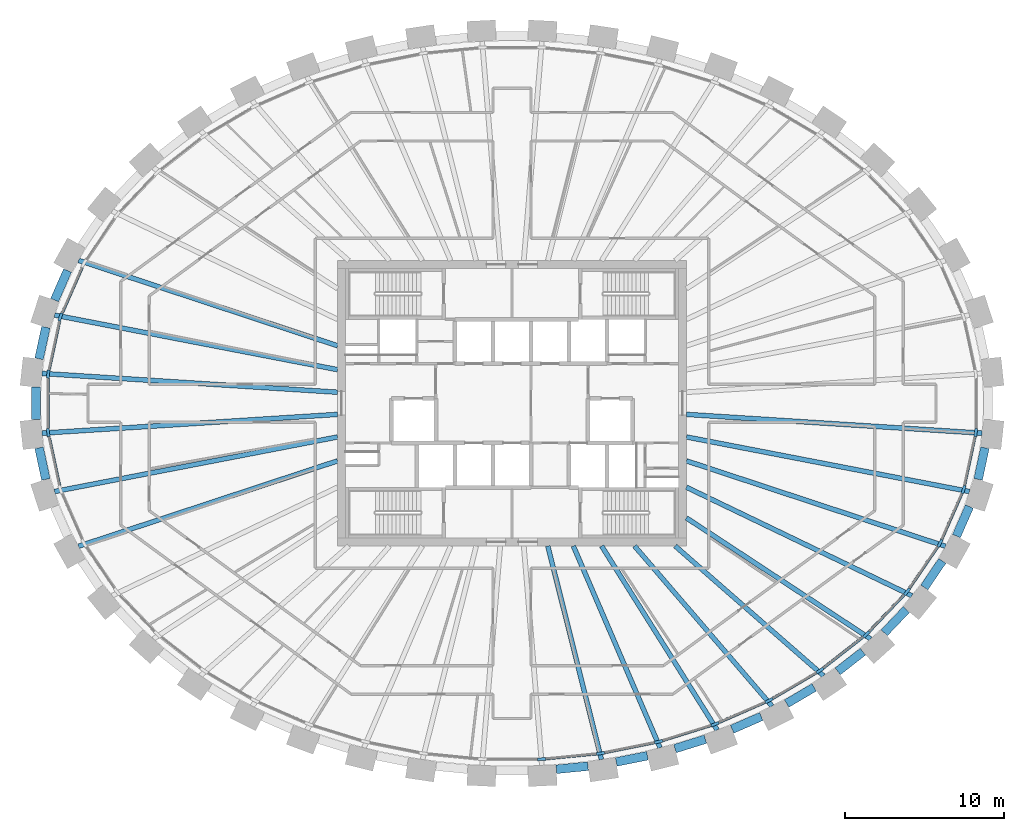
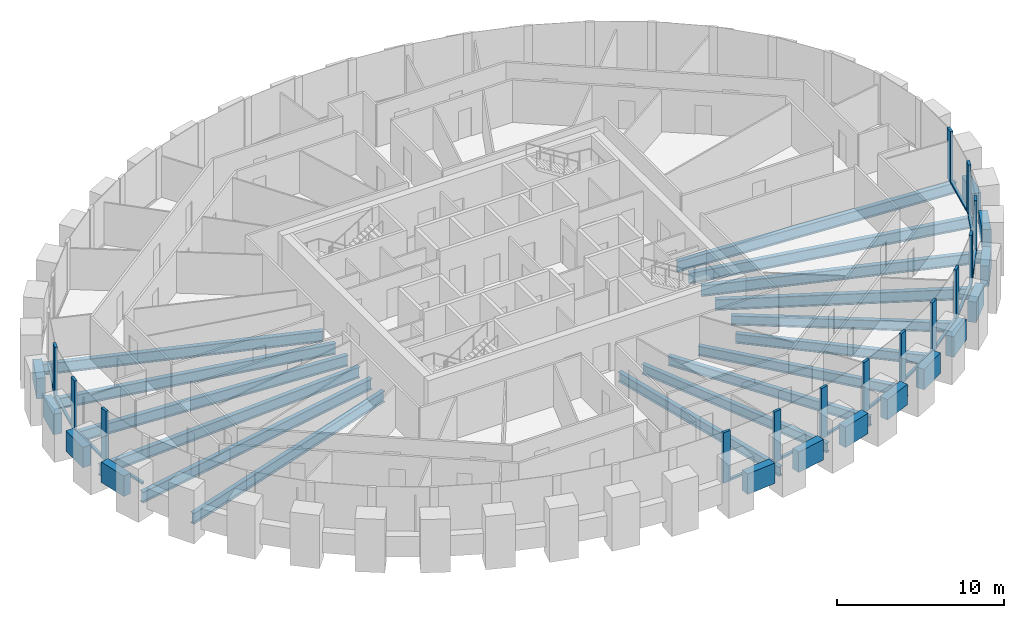
# One storey, part 2 of 12: 30 beams, 28 members, 1 element without a shape of its own.
"""IFC4 building model written with IfcOpenShell, lengths in metres."""

import ifcopenshell
import ifcopenshell.guid

model = None  # the IFC model being written
_history = None  # IfcOwnerHistory: only IFC2X3 demands one
_inside = {}  # id of a spatial element -> (the spatial element, [elements in it])
_under = {}  # id of a project, library or spatial element -> (it, [spatial elements below it])
_declared = {}  # id of a project -> (the project, [libraries it declares])
_typed = {}  # id of a type object -> (the type object, [elements of that type])
_made_of = {}  # id of a material, layer set ... -> (it, [elements and type objects made of it])


def new_model(schema):
    """Start an empty IFC model of exactly this schema.

    Asked for "IFC4X3", IfcOpenShell would pick the latest addendum, in which some entities
    have other attributes; the version numbers below select the first issue.
    IFC2X3 requires an IfcOwnerHistory on every rooted entity: one is made here for all.
    """
    global model, _history
    if schema == "IFC4X3":
        model = ifcopenshell.file(schema_version=(4, 3, 0, 0))
    else:
        model = ifcopenshell.file(schema=schema)
    _inside.clear()
    _under.clear()
    _declared.clear()
    _typed.clear()
    _made_of.clear()
    _history = None
    if model.schema == "IFC2X3":
        org = make("IfcOrganization", Name="unknown")
        user = make(
            "IfcPersonAndOrganization",
            ThePerson=make("IfcPerson", FamilyName="unknown"),
            TheOrganization=org,
        )
        app = make(
            "IfcApplication",
            ApplicationDeveloper=org,
            Version="unknown",
            ApplicationFullName="unknown",
            ApplicationIdentifier="unknown",
        )
        _history = make(
            "IfcOwnerHistory",
            OwningUser=user,
            OwningApplication=app,
            ChangeAction="ADDED",
            CreationDate=0,
        )
    return model


def make(cls, **values):
    """One entity of the class cls with the attributes given. An attribute that is None is left unset."""
    return model.create_entity(
        cls, **{name: value for name, value in values.items() if value is not None}
    )


def rooted(cls, **values):
    """An entity with a GlobalId (a new one), such as an element, a storey or a relation."""
    return make(cls, GlobalId=ifcopenshell.guid.new(), OwnerHistory=_history, **values)


def si_unit(unit_type, name, prefix=None):
    """IfcSIUnit, for example si_unit("LENGTHUNIT", "METRE", prefix="MILLI")."""
    return make("IfcSIUnit", UnitType=unit_type, Prefix=prefix, Name=name)


def assignment(units):
    """IfcUnitAssignment: the units of a project."""
    return None if units is None else make("IfcUnitAssignment", Units=units)


def point(xyz):
    """IfcCartesianPoint."""
    return None if xyz is None else make("IfcCartesianPoint", Coordinates=xyz)


def direction(xyz):
    """IfcDirection."""
    return None if xyz is None else make("IfcDirection", DirectionRatios=xyz)


def frame(location, z_axis=None, x_axis=None):
    """IfcAxis2Placement3D, a coordinate frame: its origin and axes. An axis left out is left unset."""
    return make(
        "IfcAxis2Placement3D",
        Location=point(location),
        Axis=direction(z_axis),
        RefDirection=direction(x_axis),
    )


def frame_2d(location, x_axis=None):
    """IfcAxis2Placement2D, a coordinate frame in the plane: its origin and x axis."""
    return make(
        "IfcAxis2Placement2D", Location=point(location), RefDirection=direction(x_axis)
    )


def origin():
    """The frame at (0, 0, 0) with its axes left unset."""
    return frame((0.0, 0.0, 0.0))


def origin_2d():
    """The frame at (0, 0) in the plane with its x axis left unset."""
    return frame_2d((0.0, 0.0))


def place(relative_to, where):
    """IfcLocalPlacement: puts the frame where relative to a parent placement (None: the world)."""
    return make(
        "IfcLocalPlacement", PlacementRelTo=relative_to, RelativePlacement=where
    )


def context(
    kind, dimensions, precision=None, world=None, true_north=None, identifier=None
):
    """IfcGeometricRepresentationContext, for example the 3D "Model" context."""
    return make(
        "IfcGeometricRepresentationContext",
        ContextIdentifier=identifier,
        ContextType=kind,
        CoordinateSpaceDimension=dimensions,
        Precision=precision,
        WorldCoordinateSystem=world,
        TrueNorth=true_north,
    )


def subcontext(parent, identifier, kind, view, scale=None):
    """IfcGeometricRepresentationSubContext, for example "Body" below "Model"."""
    return make(
        "IfcGeometricRepresentationSubContext",
        ContextIdentifier=identifier,
        ContextType=kind,
        ParentContext=parent,
        TargetScale=scale,
        TargetView=view,
    )


def project(units=None, contexts=None):
    """IfcProject with its units and contexts."""
    return rooted(
        "IfcProject",
        Name="project",
        RepresentationContexts=contexts,
        UnitsInContext=assignment(units),
    )


def spatial(cls, under=None, at=None, **own):
    """A site, building, storey or space (cls), placed at a placement, below another one or the project."""
    s = rooted(cls, ObjectPlacement=at, **own)
    if under is not None:
        _under.setdefault(under.id(), (under, []))[1].append(s)
    return s


def profile(cls, at=None, kind="AREA", **sizes):
    """A parametric profile (cls). Its sizes go by their IFC names, for example OverallWidth=200.0."""
    return make(cls, ProfileType=kind, Position=at, **sizes)


def rectangle(**sizes):
    """IfcRectangleProfileDef."""
    return profile("IfcRectangleProfileDef", **sizes)


def i_section(**sizes):
    """IfcIShapeProfileDef."""
    return profile("IfcIShapeProfileDef", **sizes)


def extrude(swept, where, along, depth):
    """IfcExtrudedAreaSolid: the profile swept, set in the frame where, extruded along a direction by depth."""
    return make(
        "IfcExtrudedAreaSolid",
        SweptArea=swept,
        Position=where,
        ExtrudedDirection=direction(along),
        Depth=depth,
    )


def shape(context_of_items, identifier, shape_type, items):
    """IfcShapeRepresentation: the items that make up one representation, for example the "Body"."""
    return make(
        "IfcShapeRepresentation",
        ContextOfItems=context_of_items,
        RepresentationIdentifier=identifier,
        RepresentationType=shape_type,
        Items=items,
    )


def source(mapping_origin, context_of_items, identifier, shape_type, items):
    """IfcRepresentationMap: a shape defined once, which mapped items show again and again."""
    return make(
        "IfcRepresentationMap",
        MappingOrigin=mapping_origin,
        MappedRepresentation=shape(context_of_items, identifier, shape_type, items),
    )


def transform(
    local_origin,
    x_axis=None,
    y_axis=None,
    z_axis=None,
    scale=None,
    scale2=None,
    scale3=None,
    uniform=True,
):
    """IfcCartesianTransformationOperator3D, or its non-uniform kind. x_axis, y_axis, z_axis: its Axis1, 2, 3."""
    if uniform:
        return make(
            "IfcCartesianTransformationOperator3D",
            Axis1=direction(x_axis),
            Axis2=direction(y_axis),
            LocalOrigin=point(local_origin),
            Scale=scale,
            Axis3=direction(z_axis),
        )
    return make(
        "IfcCartesianTransformationOperator3DnonUniform",
        Axis1=direction(x_axis),
        Axis2=direction(y_axis),
        LocalOrigin=point(local_origin),
        Scale=scale,
        Axis3=direction(z_axis),
        Scale2=scale2,
        Scale3=scale3,
    )


def mapped(mapping_source, mapping_target):
    """IfcMappedItem: shows the shape of a source again, moved by a transform."""
    return make(
        "IfcMappedItem", MappingSource=mapping_source, MappingTarget=mapping_target
    )


def material(Name=None, Category=None):
    """IfcMaterial."""
    return make("IfcMaterial", Name=Name, Category=Category)


def material_profile(
    of_material, cross_section, Name=None, Category=None, Priority=None
):
    """IfcMaterialProfile: a cross section and its material."""
    return make(
        "IfcMaterialProfile",
        Name=Name,
        Material=of_material,
        Profile=cross_section,
        Priority=Priority,
        Category=Category,
    )


def profile_set(profiles, Name=None, composite=None):
    """IfcMaterialProfileSet."""
    return make(
        "IfcMaterialProfileSet",
        Name=Name,
        MaterialProfiles=profiles,
        CompositeProfile=composite,
    )


def made_of(thing, what):
    """Note that an element or type object is made of a material, layer set ...; save() writes the relation."""
    if what is not None:
        _made_of.setdefault(what.id(), (what, []))[1].append(thing)
    return thing


def type_object(cls, material=None, **own):
    """A type object (cls), such as IfcWallType, which elements share."""
    return made_of(rooted(cls, **own), material)


def element(
    cls,
    number,
    at=None,
    inside=None,
    cuts=None,
    type_object=None,
    material=None,
    context=None,
    identifier="Body",
    shape_type=None,
    held_by="IfcProductDefinitionShape",
    body=None,
    shapes=None,
    **own,
):
    """One element of the class cls, such as IfcWall. Its Tag is "e" and its number.

    at: its placement. inside: the storey or other place that contains it. cuts: it is an
    opening in that element (IfcRelVoidsElement). A single representation is given by context,
    identifier, shape_type and body (its items); several are given by shapes. held_by: the class
    of the entity that holds the representations. save() writes the other relations.
    """
    e = rooted(cls, Tag="e%d" % number, ObjectPlacement=at, **own)
    if body is not None:
        shapes = [shape(context, identifier, shape_type, body)]
    if shapes is not None:
        e.Representation = make(held_by, Representations=shapes)
    if inside is not None:
        _inside.setdefault(inside.id(), (inside, []))[1].append(e)
    if cuts is not None:
        rooted(
            "IfcRelVoidsElement", RelatingBuildingElement=cuts, RelatedOpeningElement=e
        )
    if type_object is not None:
        _typed.setdefault(type_object.id(), (type_object, []))[1].append(e)
    return made_of(e, material)


def aggregate(whole, parts):
    """IfcRelAggregates: a whole, such as a stair, and the parts it consists of."""
    return rooted("IfcRelAggregates", RelatingObject=whole, RelatedObjects=parts)


def save(model, path):
    """Write the relations noted so far, then the file.

    IfcRelAggregates (storeys below a building ...), IfcRelContainedInSpatialStructure (elements
    in a storey), IfcRelDefinesByType, IfcRelAssociatesMaterial and IfcRelDeclares: one each for
    every whole, place, type object, material and project.
    """
    for whole, parts in _under.values():
        aggregate(whole, parts)
    for where, things in _inside.values():
        rooted(
            "IfcRelContainedInSpatialStructure",
            RelatedElements=things,
            RelatingStructure=where,
        )
    for kind, things in _typed.values():
        rooted("IfcRelDefinesByType", RelatedObjects=things, RelatingType=kind)
    for what, things in _made_of.values():
        rooted("IfcRelAssociatesMaterial", RelatedObjects=things, RelatingMaterial=what)
    for by, libraries in _declared.values():
        rooted("IfcRelDeclares", RelatingContext=by, RelatedDefinitions=libraries)
    model.write(path)


model = new_model("IFC4")

# Units and contexts
model_context = context("Model", 3, precision=1e-05, world=origin(), true_north=direction((0.0, 1.0)))
body_context = subcontext(model_context, "Body", "Model", "MODEL_VIEW")
ifc_project = project(units=[si_unit("LENGTHUNIT", "METRE"), si_unit("AREAUNIT", "SQUARE_METRE"), si_unit("VOLUMEUNIT", "CUBIC_METRE"), si_unit("PLANEANGLEUNIT", "RADIAN"), si_unit("MASSUNIT", "GRAM", prefix="KILO")], contexts=[model_context])

# Site, building, storey
site_placement = place(None, origin())
site = spatial("IfcSite", under=ifc_project, at=site_placement, CompositionType="ELEMENT")
building_placement = place(site_placement, origin())
building = spatial("IfcBuilding", under=site, at=building_placement, Name="Embergate Tower", CompositionType="ELEMENT")
storey_placement = place(building_placement, frame((0.0, 0.0, 309.10009765625)))
storey = spatial("IfcBuildingStorey", under=building, at=storey_placement, Name="L72", CompositionType="ELEMENT", Elevation=309.10009765625)

# Beams
ifc_material_1 = material(Name="Concrete C50", Category="concrete")
ifc_material_profile_1 = material_profile(ifc_material_1, rectangle(XDim=0.550048828125, YDim=1.5, at=origin_2d()), Name="RC 550x1500")
ifc_profile_set_1 = profile_set([ifc_material_profile_1], Name="Concrete C50")
beam_type_1 = type_object("IfcBeamType", Name="Spandrel beam RC 550x1500 C50", PredefinedType="BEAM", material=ifc_profile_set_1)
shared_shape_1 = source(origin(), body_context, "Body", "SweptSolid", [
    extrude(rectangle(XDim=0.550048828125, YDim=1.5, at=origin_2d()), origin(), (0.0, 0.0, 1.0), 2.034423828125),
])
for number, where, z_axis, x_axis, name in (
    (1, (-29.39697265625, 4.797119140625, 0.0), (-0.209897885741, -0.977723313398, 0.0), (0.977723313398, -0.209897885741, 0.0), "SPN-L72-20"),
    (2, (-29.823974609375, -2.80810546875, 0.0), (0.209897885741, -0.977723313398, 0.0), (0.977723313398, 0.209897885741, 0.0), "SPN-L72-22"),
    (3, (29.39697265625, -4.797119140625, 0.0), (0.209897885741, 0.977723313398, 0.0), (-0.977723313398, 0.209897885741, 0.0), "SPN-L72-42"),
):
    element("IfcBeam", number, at=place(storey_placement, frame(where, z_axis=z_axis, x_axis=x_axis)), inside=storey, type_object=beam_type_1, Name=name, PredefinedType="BEAM", context=body_context, shape_type="MappedRepresentation", body=[
        mapped(shared_shape_1, transform((0.0, 0.0, 0.0))),
    ])
shared_shape_2 = source(origin(), body_context, "Body", "SweptSolid", [
    extrude(rectangle(XDim=0.550048828125, YDim=1.5, at=origin_2d()), origin(), (0.0, 0.0, 1.0), 2.03125),
])
for number, where, z_axis, x_axis, name in (
    (4, (-28.027099609375, 8.3701171875, 0.0), (-0.401695096335, -0.915773470669, 0.0), (0.915773470669, -0.401695096335, 0.0), "SPN-L72-19"),
    (5, (28.027099609375, -8.3701171875, 0.0), (0.401695096335, 0.915773470669, 0.0), (-0.915773470669, 0.401695096335, 0.0), "SPN-L72-41"),
):
    element("IfcBeam", number, at=place(storey_placement, frame(where, z_axis=z_axis, x_axis=x_axis)), inside=storey, type_object=beam_type_1, Name=name, PredefinedType="BEAM", context=body_context, shape_type="MappedRepresentation", body=[
        mapped(shared_shape_2, transform((0.0, 0.0, 0.0))),
    ])
shared_shape_3 = source(origin(), body_context, "Body", "SweptSolid", [
    extrude(rectangle(XDim=0.550048828125, YDim=1.5, at=origin_2d()), origin(), (0.0, 0.0, 1.0), 2.02392578125),
])
beam_1_placement = place(storey_placement, frame((26.0, -11.60888671875, 0.0), z_axis=(0.562220937061, 0.826987072408, 0.0), x_axis=(-0.826987072408, 0.562220937061, 0.0)))
element("IfcBeam", 6, at=beam_1_placement, inside=storey, type_object=beam_type_1, Name="SPN-L72-40", PredefinedType="BEAM", context=body_context, shape_type="MappedRepresentation", body=[
    mapped(shared_shape_3, transform((0.0, 0.0, 0.0))),
])
shared_shape_4 = source(origin(), body_context, "Body", "SweptSolid", [
    extrude(rectangle(XDim=0.550048828125, YDim=1.5, at=origin_2d()), origin(), (0.0, 0.0, 1.0), 2.0185546875),
])
beam_2_placement = place(storey_placement, frame((23.47607421875, -14.469970703125, 0.0), z_axis=(0.690032605045, 0.723778283714, 0.0), x_axis=(-0.723778283714, 0.690032605045, 0.0)))
element("IfcBeam", 7, at=beam_2_placement, inside=storey, type_object=beam_type_1, Name="SPN-L72-39", PredefinedType="BEAM", context=body_context, shape_type="MappedRepresentation", body=[
    mapped(shared_shape_4, transform((0.0, 0.0, 0.0))),
])
shared_shape_5 = source(origin(), body_context, "Body", "SweptSolid", [
    extrude(rectangle(XDim=0.550048828125, YDim=1.5, at=origin_2d()), origin(), (0.0, 0.0, 1.0), 2.011962890625),
])
beam_3_placement = place(storey_placement, frame((20.5419921875, -16.902099609375, 0.0), z_axis=(0.788259795351, 0.615342583471, 0.0), x_axis=(-0.615342583471, 0.788259795351, 0.0)))
element("IfcBeam", 8, at=beam_3_placement, inside=storey, type_object=beam_type_1, Name="SPN-L72-38", PredefinedType="BEAM", context=body_context, shape_type="MappedRepresentation", body=[
    mapped(shared_shape_5, transform((0.0, 0.0, 0.0))),
])
shared_shape_6 = source(origin(), body_context, "Body", "SweptSolid", [
    extrude(rectangle(XDim=0.550048828125, YDim=1.5, at=origin_2d()), origin(), (0.0, 0.0, 1.0), 2.008056640625),
])
beam_4_placement = place(storey_placement, frame((17.322021484375, -18.931884765625, 0.0), z_axis=(0.86201859197, 0.506876658663, 0.0), x_axis=(-0.506876658663, 0.86201859197, 0.0)))
element("IfcBeam", 9, at=beam_4_placement, inside=storey, type_object=beam_type_1, Name="SPN-L72-37", PredefinedType="BEAM", context=body_context, shape_type="MappedRepresentation", body=[
    mapped(shared_shape_6, transform((0.0, 0.0, 0.0))),
])
shared_shape_7 = source(origin(), body_context, "Body", "SweptSolid", [
    extrude(rectangle(XDim=0.550048828125, YDim=1.5, at=origin_2d()), origin(), (0.0, 0.0, 1.0), 2.0068359375),
])
beam_5_placement = place(storey_placement, frame((13.8798828125, -20.552978515625, 0.0), z_axis=(0.916455842534, 0.400135837793, 0.0), x_axis=(-0.400135837793, 0.916455842534, 0.0)))
element("IfcBeam", 10, at=beam_5_placement, inside=storey, type_object=beam_type_1, Name="SPN-L72-36", PredefinedType="BEAM", context=body_context, shape_type="MappedRepresentation", body=[
    mapped(shared_shape_7, transform((0.0, 0.0, 0.0))),
])
shared_shape_8 = source(origin(), body_context, "Body", "SweptSolid", [
    extrude(rectangle(XDim=0.550048828125, YDim=1.5, at=origin_2d()), origin(), (0.0, 0.0, 1.0), 2.0048828125),
])
beam_6_placement = place(storey_placement, frame((10.280029296875, -21.778076171875, 0.0), z_axis=(0.954756929567, 0.297387298725, 0.0), x_axis=(-0.297387298725, 0.954756929567, 0.0)))
element("IfcBeam", 11, at=beam_6_placement, inside=storey, type_object=beam_type_1, Name="SPN-L72-35", PredefinedType="BEAM", context=body_context, shape_type="MappedRepresentation", body=[
    mapped(shared_shape_8, transform((0.0, 0.0, 0.0))),
])
shared_shape_9 = source(origin(), body_context, "Body", "SweptSolid", [
    extrude(rectangle(XDim=0.550048828125, YDim=1.5, at=origin_2d()), origin(), (0.0, 0.0, 1.0), 2.003173828125),
])
beam_7_placement = place(storey_placement, frame((6.572021484375, -22.617919921875, 0.0), z_axis=(0.980364457571, 0.197194143753, 0.0), x_axis=(-0.197194143753, 0.980364457571, 0.0)))
element("IfcBeam", 12, at=beam_7_placement, inside=storey, type_object=beam_type_1, Name="SPN-L72-34", PredefinedType="BEAM", context=body_context, shape_type="MappedRepresentation", body=[
    mapped(shared_shape_9, transform((0.0, 0.0, 0.0))),
])
shared_shape_10 = source(origin(), body_context, "Body", "SweptSolid", [
    extrude(rectangle(XDim=0.550048828125, YDim=1.5, at=origin_2d()), origin(), (0.0, 0.0, 1.0), 2.00341796875),
])
beam_8_placement = place(storey_placement, frame((2.798095703125, -23.0791015625, 0.0), z_axis=(0.995201107697, 0.097850678276, 0.0), x_axis=(-0.097850678276, 0.995201107697, 0.0)))
element("IfcBeam", 13, at=beam_8_placement, inside=storey, type_object=beam_type_1, Name="SPN-L72-33", PredefinedType="BEAM", context=body_context, shape_type="MappedRepresentation", body=[
    mapped(shared_shape_10, transform((0.0, 0.0, 0.0))),
])
shared_shape_11 = source(origin(), body_context, "Body", "SweptSolid", [
    extrude(rectangle(XDim=0.550048828125, YDim=1.5, at=origin_2d()), origin(), (0.0, 0.0, 1.0), 2.0361328125),
])
beam_9_placement = place(storey_placement, frame((-30.014892578125, 1.01806640625, 0.0), z_axis=(0.0, -1.0, 0.0), x_axis=(1.0, 0.0, 0.0)))
element("IfcBeam", 14, at=beam_9_placement, inside=storey, type_object=beam_type_1, Name="SPN-L72-21", PredefinedType="BEAM", context=body_context, shape_type="MappedRepresentation", body=[
    mapped(shared_shape_11, transform((0.0, 0.0, 0.0))),
])
ifc_material_2 = material(Name="Steel Q355B", Category="steel")
ifc_material_profile_2 = material_profile(ifc_material_2, i_section(OverallWidth=0.300048828125, OverallDepth=0.800048828125, WebThickness=0.013916015625, FlangeThickness=0.02587890625, FilletRadius=0.028076171875, at=origin_2d()), Name="HN 800x300x14x26")
ifc_profile_set_2 = profile_set([ifc_material_profile_2], Name="Steel Q355 grade B")
beam_type_2 = type_object("IfcBeamType", Name="Radial girder HN 800x300x14x26", PredefinedType="BEAM", material=ifc_profile_set_2)
shared_shape_12 = source(origin(), body_context, "Body", "SweptSolid", [
    extrude(i_section(OverallWidth=0.300048828125, OverallDepth=0.800048828125, WebThickness=0.013916015625, FlangeThickness=0.02587890625, FilletRadius=0.028076171875, at=origin_2d()), origin(), (0.0, 0.0, 1.0), 18.677490234375),
])
for number, where, z_axis, x_axis, name in (
    (15, (-29.639892578125, 1.883056640625, -0.60009765625), (0.997988431548, -0.063396297175, 0.0), (0.063396297175, 0.997988431548, 0.0), "GIR-L72-21"),
    (16, (-29.639892578125, -1.883056640625, -0.60009765625), (0.997988431548, 0.063396297175, 0.0), (-0.063396297175, 0.997988431548, 0.0), "GIR-L72-22"),
    (17, (29.639892578125, -1.883056640625, -0.60009765625), (-0.997988431548, 0.063396297175, 0.0), (-0.063396297175, -0.997988431548, 0.0), "GIR-L72-43"),
):
    element("IfcBeam", number, at=place(storey_placement, frame(where, z_axis=z_axis, x_axis=x_axis)), inside=storey, type_object=beam_type_2, Name=name, PredefinedType="BEAM", context=body_context, shape_type="MappedRepresentation", body=[
        mapped(shared_shape_12, transform((0.0, 0.0, 0.0))),
    ])
shared_shape_13 = source(origin(), body_context, "Body", "SweptSolid", [
    extrude(i_section(OverallWidth=0.300048828125, OverallDepth=0.800048828125, WebThickness=0.013916015625, FlangeThickness=0.02587890625, FilletRadius=0.028076171875, at=origin_2d()), origin(), (0.0, 0.0, 1.0), 18.177001953125),
])
for number, where, z_axis, x_axis, name in (
    (18, (-28.847900390625, 5.56494140625, -0.60009765625), (0.981898318419, -0.189408796749, 0.0), (0.189408796749, 0.981898318419, 0.0), "GIR-L72-20"),
    (19, (-28.847900390625, -5.56494140625, -0.60009765625), (0.981898318419, 0.189408796749, 0.0), (-0.189408796749, 0.981898318419, 0.0), "GIR-L72-23"),
    (20, (28.847900390625, -5.56494140625, -0.60009765625), (-0.981898318419, 0.189408796749, 0.0), (-0.189408796749, -0.981898318419, 0.0), "GIR-L72-42"),
):
    element("IfcBeam", number, at=place(storey_placement, frame(where, z_axis=z_axis, x_axis=x_axis)), inside=storey, type_object=beam_type_2, Name=name, PredefinedType="BEAM", context=body_context, shape_type="MappedRepresentation", body=[
        mapped(shared_shape_13, transform((0.0, 0.0, 0.0))),
    ])
shared_shape_14 = source(origin(), body_context, "Body", "SweptSolid", [
    extrude(i_section(OverallWidth=0.300048828125, OverallDepth=0.800048828125, WebThickness=0.013916015625, FlangeThickness=0.02587890625, FilletRadius=0.028076171875, at=origin_2d()), origin(), (0.0, 0.0, 1.0), 17.2001953125),
])
for number, where, z_axis, x_axis, name in (
    (21, (-27.3349609375, 9.014892578125, -0.60009765625), (0.949690470212, -0.313190055378, 0.0), (0.313190055378, 0.949690470212, 0.0), "GIR-L72-19"),
    (22, (-27.3349609375, -9.014892578125, -0.60009765625), (0.949690470212, 0.313190055378, 0.0), (-0.313190055378, 0.949690470212, 0.0), "GIR-L72-24"),
    (23, (27.3349609375, -9.014892578125, -0.60009765625), (-0.949690470212, 0.313190055378, 0.0), (-0.313190055378, -0.949690470212, 0.0), "GIR-L72-41"),
):
    element("IfcBeam", number, at=place(storey_placement, frame(where, z_axis=z_axis, x_axis=x_axis)), inside=storey, type_object=beam_type_2, Name=name, PredefinedType="BEAM", context=body_context, shape_type="MappedRepresentation", body=[
        mapped(shared_shape_14, transform((0.0, 0.0, 0.0))),
    ])
shared_shape_15 = source(origin(), body_context, "Body", "SweptSolid", [
    extrude(i_section(OverallWidth=0.300048828125, OverallDepth=0.800048828125, WebThickness=0.013916015625, FlangeThickness=0.02587890625, FilletRadius=0.028076171875, at=origin_2d()), origin(), (0.0, 0.0, 1.0), 15.775634765625),
])
beam_10_placement = place(storey_placement, frame((25.216064453125, -12.131103515625, -0.60009765625), z_axis=(-0.901141870193, 0.433524312795, 0.0), x_axis=(-0.433524312795, -0.901141870193, 0.0)))
element("IfcBeam", 24, at=beam_10_placement, inside=storey, type_object=beam_type_2, Name="GIR-L72-40", PredefinedType="BEAM", context=body_context, shape_type="MappedRepresentation", body=[
    mapped(shared_shape_15, transform((0.0, 0.0, 0.0))),
])
ifc_material_profile_3 = material_profile(ifc_material_2, i_section(OverallWidth=0.300048828125, OverallDepth=0.699951171875, WebThickness=0.012939453125, FlangeThickness=0.02392578125, FilletRadius=0.01806640625, at=origin_2d()), Name="HN 700x300x13x24")
ifc_profile_set_3 = profile_set([ifc_material_profile_3], Name="Steel Q355 grade B")
beam_type_3 = type_object("IfcBeamType", Name="Radial girder HN 700x300x13x24", PredefinedType="BEAM", material=ifc_profile_set_3)
shared_shape_16 = source(origin(), body_context, "Body", "SweptSolid", [
    extrude(i_section(OverallWidth=0.300048828125, OverallDepth=0.699951171875, WebThickness=0.012939453125, FlangeThickness=0.02392578125, FilletRadius=0.01806640625, at=origin_2d()), origin(), (0.0, 0.0, 1.0), 13.89794921875),
])
beam_11_placement = place(storey_placement, frame((22.614990234375, -14.85888671875, -0.550048828125), z_axis=(-0.835734272266, 0.549134069386, 0.0), x_axis=(-0.549134069386, -0.835734272266, 0.0)))
element("IfcBeam", 25, at=beam_11_placement, inside=storey, type_object=beam_type_3, Name="GIR-L72-39", PredefinedType="BEAM", context=body_context, shape_type="MappedRepresentation", body=[
    mapped(shared_shape_16, transform((0.0, 0.0, 0.0))),
])
shared_shape_17 = source(origin(), body_context, "Body", "SweptSolid", [
    extrude(i_section(OverallWidth=0.300048828125, OverallDepth=0.699951171875, WebThickness=0.012939453125, FlangeThickness=0.02392578125, FilletRadius=0.01806640625, at=origin_2d()), origin(), (0.0, 0.0, 1.0), 12.424072265625),
])
beam_12_placement = place(storey_placement, frame((19.64306640625, -17.178955078125, -0.550048828125), z_axis=(-0.752739789834, 0.658318166847, 0.0), x_axis=(-0.658318166847, -0.752739789834, 0.0)))
element("IfcBeam", 26, at=beam_12_placement, inside=storey, type_object=beam_type_3, Name="GIR-L72-38", PredefinedType="BEAM", context=body_context, shape_type="MappedRepresentation", body=[
    mapped(shared_shape_17, transform((0.0, 0.0, 0.0))),
])
shared_shape_18 = source(origin(), body_context, "Body", "SweptSolid", [
    extrude(i_section(OverallWidth=0.300048828125, OverallDepth=0.699951171875, WebThickness=0.012939453125, FlangeThickness=0.02392578125, FilletRadius=0.01806640625, at=origin_2d()), origin(), (0.0, 0.0, 1.0), 13.300048828125),
])
beam_13_placement = place(storey_placement, frame((16.39306640625, -19.090087890625, -0.550048828125), z_axis=(-0.651501585067, 0.758647272885, 0.0), x_axis=(-0.758647272885, -0.651501585067, 0.0)))
element("IfcBeam", 27, at=beam_13_placement, inside=storey, type_object=beam_type_3, Name="GIR-L72-37", PredefinedType="BEAM", context=body_context, shape_type="MappedRepresentation", body=[
    mapped(shared_shape_18, transform((0.0, 0.0, 0.0))),
])
shared_shape_19 = source(origin(), body_context, "Body", "SweptSolid", [
    extrude(i_section(OverallWidth=0.300048828125, OverallDepth=0.699951171875, WebThickness=0.012939453125, FlangeThickness=0.02392578125, FilletRadius=0.01806640625, at=origin_2d()), origin(), (0.0, 0.0, 1.0), 13.698486328125),
])
beam_14_placement = place(storey_placement, frame((12.93798828125, -20.60009765625, -0.550048828125), z_axis=(-0.5318784163, 0.846820730895, 0.0), x_axis=(-0.846820730895, -0.5318784163, 0.0)))
element("IfcBeam", 28, at=beam_14_placement, inside=storey, type_object=beam_type_3, Name="GIR-L72-36", PredefinedType="BEAM", context=body_context, shape_type="MappedRepresentation", body=[
    mapped(shared_shape_19, transform((0.0, 0.0, 0.0))),
])
shared_shape_20 = source(origin(), body_context, "Body", "SweptSolid", [
    extrude(i_section(OverallWidth=0.300048828125, OverallDepth=0.699951171875, WebThickness=0.012939453125, FlangeThickness=0.02392578125, FilletRadius=0.01806640625, at=origin_2d()), origin(), (0.0, 0.0, 1.0), 13.846435546875),
])
beam_15_placement = place(storey_placement, frame((9.3369140625, -21.720947265625, -0.550048828125), z_axis=(-0.394906469697, 0.918721328909, 0.0), x_axis=(-0.918721328909, -0.394906469697, 0.0)))
element("IfcBeam", 29, at=beam_15_placement, inside=storey, type_object=beam_type_3, Name="GIR-L72-35", PredefinedType="BEAM", context=body_context, shape_type="MappedRepresentation", body=[
    mapped(shared_shape_20, transform((0.0, 0.0, 0.0))),
])
shared_shape_21 = source(origin(), body_context, "Body", "SweptSolid", [
    extrude(i_section(OverallWidth=0.300048828125, OverallDepth=0.699951171875, WebThickness=0.012939453125, FlangeThickness=0.02392578125, FilletRadius=0.01806640625, at=origin_2d()), origin(), (0.0, 0.0, 1.0), 13.88037109375),
])
beam_16_placement = place(storey_placement, frame((5.638916015625, -22.462890625, -0.550048828125), z_axis=(-0.243429448645, 0.969918606653, 0.0), x_axis=(-0.969918606653, -0.243429448645, 0.0)))
element("IfcBeam", 30, at=beam_16_placement, inside=storey, type_object=beam_type_3, Name="GIR-L72-34", PredefinedType="BEAM", context=body_context, shape_type="MappedRepresentation", body=[
    mapped(shared_shape_21, transform((0.0, 0.0, 0.0))),
])

# Curtain wall, members
ifc_material_3 = material(Name="Aluminium and glass", Category="aluminium")
curtain_wall_type = type_object("IfcCurtainWallType", Name="Recessed office glazing", PredefinedType="NOTDEFINED", material=ifc_material_3)
curtain_wall_placement = place(storey_placement, origin())
curtain_wall = element("IfcCurtainWall", 31, at=curtain_wall_placement, inside=storey, type_object=curtain_wall_type, Name="Recessed office glazing ring", ObjectType="RECESSED OFFICE GLAZING", PredefinedType="USERDEFINED")
ifc_material_4 = material(Name="Aluminium, thermally broken", Category="aluminium")
ifc_material_profile_4 = material_profile(ifc_material_4, rectangle(XDim=0.179931640625, YDim=0.52001953125, at=origin_2d()), Name="AL 520x180")
ifc_profile_set_4 = profile_set([ifc_material_profile_4], Name="Aluminium, thermally broken")
member_type_1 = type_object("IfcMemberType", Name="Office mullion", PredefinedType="MULLION", material=ifc_profile_set_4)
shared_shape_22 = source(origin(), body_context, "Body", "SweptSolid", [
    extrude(rectangle(XDim=0.179931640625, YDim=0.52001953125, at=origin_2d()), origin(), (0.0, 0.0, 1.0), 3.699951171875),
])
member_1_placement = place(storey_placement, frame((-28.47705078125, 5.44384765625, 0.0), z_axis=(0.0, 0.0, 1.0), x_axis=(0.951492965233, -0.307670500881, 0.0)))
member_1 = element("IfcMember", 32, at=member_1_placement, type_object=member_type_1, Name="CW mullion 21", PredefinedType="MULLION", context=body_context, shape_type="MappedRepresentation", body=[
    mapped(shared_shape_22, transform((0.0, 0.0, 0.0))),
])
member_2_placement = place(storey_placement, frame((-29.252197265625, 1.84130859375, 0.0), z_axis=(0.0, 0.0, 1.0), x_axis=(0.994384215926, -0.105830199459, 0.0)))
member_2 = element("IfcMember", 33, at=member_2_placement, type_object=member_type_1, Name="CW mullion 22", PredefinedType="MULLION", context=body_context, shape_type="MappedRepresentation", body=[
    mapped(shared_shape_22, transform((0.0, 0.0, 0.0))),
])
member_3_placement = place(storey_placement, frame((-29.252197265625, -1.84130859375, 0.0), z_axis=(0.0, 0.0, 1.0), x_axis=(0.994384215926, 0.105830199459, 0.0)))
member_3 = element("IfcMember", 34, at=member_3_placement, type_object=member_type_1, Name="CW mullion 23", PredefinedType="MULLION", context=body_context, shape_type="MappedRepresentation", body=[
    mapped(shared_shape_22, transform((0.0, 0.0, 0.0))),
])
member_4_placement = place(storey_placement, frame((1.86669921875, -22.4423828125, 0.0), z_axis=(0.0, 0.0, 1.0), x_axis=(-0.048971796621, 0.998800161762, 0.0)))
member_4 = element("IfcMember", 35, at=member_4_placement, type_object=member_type_1, Name="CW mullion 34", PredefinedType="MULLION", context=body_context, shape_type="MappedRepresentation", body=[
    mapped(shared_shape_22, transform((0.0, 0.0, 0.0))),
])
member_5_placement = place(storey_placement, frame((5.581787109375, -22.0771484375, 0.0), z_axis=(0.0, 0.0, 1.0), x_axis=(-0.147412382818, 0.989075118174, 0.0)))
member_5 = element("IfcMember", 36, at=member_5_placement, type_object=member_type_1, Name="CW mullion 35", PredefinedType="MULLION", context=body_context, shape_type="MappedRepresentation", body=[
    mapped(shared_shape_22, transform((0.0, 0.0, 0.0))),
])
member_6_placement = place(storey_placement, frame((9.240478515625, -21.343505859375, 0.0), z_axis=(0.0, 0.0, 1.0), x_axis=(-0.24731188137, 0.968935928394, 0.0)))
member_6 = element("IfcMember", 37, at=member_6_placement, type_object=member_type_1, Name="CW mullion 36", PredefinedType="MULLION", context=body_context, shape_type="MappedRepresentation", body=[
    mapped(shared_shape_22, transform((0.0, 0.0, 0.0))),
])
member_7_placement = place(storey_placement, frame((12.801513671875, -20.234619140625, 0.0), z_axis=(0.0, 0.0, 1.0), x_axis=(-0.349501047589, 0.936935973124, 0.0)))
member_7 = element("IfcMember", 38, at=member_7_placement, type_object=member_type_1, Name="CW mullion 37", PredefinedType="MULLION", context=body_context, shape_type="MappedRepresentation", body=[
    mapped(shared_shape_22, transform((0.0, 0.0, 0.0))),
])
member_8_placement = place(storey_placement, frame((16.2158203125, -18.741455078125, 0.0), z_axis=(0.0, 0.0, 1.0), x_axis=(-0.454508271251, 0.890742516872, 0.0)))
member_8 = element("IfcMember", 39, at=member_8_placement, type_object=member_type_1, Name="CW mullion 38", PredefinedType="MULLION", context=body_context, shape_type="MappedRepresentation", body=[
    mapped(shared_shape_22, transform((0.0, 0.0, 0.0))),
])
member_9_placement = place(storey_placement, frame((19.42431640625, -16.855224609375, 0.0), z_axis=(0.0, 0.0, 1.0), x_axis=(-0.56221328843, 0.826992272221, 0.0)))
member_9 = element("IfcMember", 40, at=member_9_placement, type_object=member_type_1, Name="CW mullion 39", PredefinedType="MULLION", context=body_context, shape_type="MappedRepresentation", body=[
    mapped(shared_shape_22, transform((0.0, 0.0, 0.0))),
])
member_10_placement = place(storey_placement, frame((22.353759765625, -14.56884765625, 0.0), z_axis=(0.0, 0.0, 1.0), x_axis=(-0.671220065284, 0.741258135847, 0.0)))
member_10 = element("IfcMember", 41, at=member_10_placement, type_object=member_type_1, Name="CW mullion 40", PredefinedType="MULLION", context=body_context, shape_type="MappedRepresentation", body=[
    mapped(shared_shape_22, transform((0.0, 0.0, 0.0))),
])
member_11_placement = place(storey_placement, frame((24.913330078125, -11.884765625, 0.0), z_axis=(0.0, 0.0, 1.0), x_axis=(-0.777863789852, 0.628432911643, 0.0)))
member_11 = element("IfcMember", 42, at=member_11_placement, type_object=member_type_1, Name="CW mullion 41", PredefinedType="MULLION", context=body_context, shape_type="MappedRepresentation", body=[
    mapped(shared_shape_22, transform((0.0, 0.0, 0.0))),
])
member_12_placement = place(storey_placement, frame((26.994140625, -8.824951171875, 0.0), z_axis=(0.0, 0.0, 1.0), x_axis=(-0.87499344622, 0.484134763338, 0.0)))
member_12 = element("IfcMember", 43, at=member_12_placement, type_object=member_type_1, Name="CW mullion 42", PredefinedType="MULLION", context=body_context, shape_type="MappedRepresentation", body=[
    mapped(shared_shape_22, transform((0.0, 0.0, 0.0))),
])
member_13_placement = place(storey_placement, frame((28.47705078125, -5.44384765625, 0.0), z_axis=(0.0, 0.0, 1.0), x_axis=(-0.951492965233, 0.307670500881, 0.0)))
member_13 = element("IfcMember", 44, at=member_13_placement, type_object=member_type_1, Name="CW mullion 43", PredefinedType="MULLION", context=body_context, shape_type="MappedRepresentation", body=[
    mapped(shared_shape_22, transform((0.0, 0.0, 0.0))),
])
member_14_placement = place(storey_placement, frame((29.252197265625, -1.84130859375, 0.0), z_axis=(0.0, 0.0, 1.0), x_axis=(-0.994384215926, 0.105830199459, 0.0)))
member_14 = element("IfcMember", 45, at=member_14_placement, type_object=member_type_1, Name="CW mullion 44", PredefinedType="MULLION", context=body_context, shape_type="MappedRepresentation", body=[
    mapped(shared_shape_22, transform((0.0, 0.0, 0.0))),
])
ifc_material_profile_5 = material_profile(ifc_material_4, rectangle(XDim=0.179931640625, YDim=0.14990234375, at=origin_2d()), Name="AL 150x180")
ifc_profile_set_5 = profile_set([ifc_material_profile_5], Name="Aluminium, thermally broken")
member_type_2 = type_object("IfcMemberType", Name="Office sill transom", PredefinedType="USERDEFINED", material=ifc_profile_set_5)
shared_shape_23 = source(origin(), body_context, "Body", "SweptSolid", [
    extrude(rectangle(XDim=0.179931640625, YDim=0.14990234375, at=origin_2d()), origin(), (0.0, 0.0, 1.0), 3.1650390625),
])
member_15_placement = place(storey_placement, frame((-28.53173828125, 5.189697265625, 0.074951171875), z_axis=(-0.210350798958, -0.977625972127, 0.0), x_axis=(0.977625972127, -0.210350798958, 0.0)))
member_15 = element("IfcMember", 46, at=member_15_placement, type_object=member_type_2, Name="CW transom 21.1", ObjectType="TRANSOM", PredefinedType="USERDEFINED", context=body_context, shape_type="MappedRepresentation", body=[
    mapped(shared_shape_23, transform((0.0, 0.0, 0.0))),
])
member_16_placement = place(storey_placement, frame((-29.197509765625, -2.095458984375, 0.074951171875), z_axis=(0.210350798958, -0.977625972127, 0.0), x_axis=(0.977625972127, 0.210350798958, 0.0)))
member_16 = element("IfcMember", 47, at=member_16_placement, type_object=member_type_2, Name="CW transom 23.1", ObjectType="TRANSOM", PredefinedType="USERDEFINED", context=body_context, shape_type="MappedRepresentation", body=[
    mapped(shared_shape_23, transform((0.0, 0.0, 0.0))),
])
member_17_placement = place(storey_placement, frame((28.53173828125, -5.189697265625, 0.074951171875), z_axis=(0.210350798958, 0.977625972127, 0.0), x_axis=(-0.977625972127, 0.210350798958, 0.0)))
member_17 = element("IfcMember", 48, at=member_17_placement, type_object=member_type_2, Name="CW transom 43.1", ObjectType="TRANSOM", PredefinedType="USERDEFINED", context=body_context, shape_type="MappedRepresentation", body=[
    mapped(shared_shape_23, transform((0.0, 0.0, 0.0))),
])
shared_shape_24 = source(origin(), body_context, "Body", "SweptSolid", [
    extrude(rectangle(XDim=0.179931640625, YDim=0.14990234375, at=origin_2d()), origin(), (0.0, 0.0, 1.0), 3.172119140625),
])
member_18_placement = place(storey_placement, frame((-27.0986328125, 8.5869140625, 0.074951171875), z_axis=(-0.401606005278, -0.915812544424, 0.0), x_axis=(0.915812544424, -0.401606005278, 0.0)))
member_18 = element("IfcMember", 49, at=member_18_placement, type_object=member_type_2, Name="CW transom 20.1", ObjectType="TRANSOM", PredefinedType="USERDEFINED", context=body_context, shape_type="MappedRepresentation", body=[
    mapped(shared_shape_24, transform((0.0, 0.0, 0.0))),
])
member_19_placement = place(storey_placement, frame((27.0986328125, -8.5869140625, 0.074951171875), z_axis=(0.401606005278, 0.915812544424, 0.0), x_axis=(-0.915812544424, 0.401606005278, 0.0)))
member_19 = element("IfcMember", 50, at=member_19_placement, type_object=member_type_2, Name="CW transom 42.1", ObjectType="TRANSOM", PredefinedType="USERDEFINED", context=body_context, shape_type="MappedRepresentation", body=[
    mapped(shared_shape_24, transform((0.0, 0.0, 0.0))),
])
shared_shape_25 = source(origin(), body_context, "Body", "SweptSolid", [
    extrude(rectangle(XDim=0.179931640625, YDim=0.14990234375, at=origin_2d()), origin(), (0.0, 0.0, 1.0), 3.180419921875),
])
member_20_placement = place(storey_placement, frame((25.0595703125, -11.669921875, 0.074951171875), z_axis=(0.562276427382, 0.826949345009, 0.0), x_axis=(-0.826949345009, 0.562276427382, 0.0)))
member_20 = element("IfcMember", 51, at=member_20_placement, type_object=member_type_2, Name="CW transom 41.1", ObjectType="TRANSOM", PredefinedType="USERDEFINED", context=body_context, shape_type="MappedRepresentation", body=[
    mapped(shared_shape_25, transform((0.0, 0.0, 0.0))),
])
shared_shape_26 = source(origin(), body_context, "Body", "SweptSolid", [
    extrude(rectangle(XDim=0.179931640625, YDim=0.14990234375, at=origin_2d()), origin(), (0.0, 0.0, 1.0), 3.188720703125),
])
member_21_placement = place(storey_placement, frame((22.533203125, -14.380615234375, 0.074951171875), z_axis=(0.690140615527, 0.723675293761, 0.0), x_axis=(-0.723675293761, 0.690140615527, 0.0)))
member_21 = element("IfcMember", 52, at=member_21_placement, type_object=member_type_2, Name="CW transom 40.1", ObjectType="TRANSOM", PredefinedType="USERDEFINED", context=body_context, shape_type="MappedRepresentation", body=[
    mapped(shared_shape_26, transform((0.0, 0.0, 0.0))),
])
shared_shape_27 = source(origin(), body_context, "Body", "SweptSolid", [
    extrude(rectangle(XDim=0.179931640625, YDim=0.14990234375, at=origin_2d()), origin(), (0.0, 0.0, 1.0), 3.196044921875),
])
member_22_placement = place(storey_placement, frame((19.629150390625, -16.6953125, 0.074951171875), z_axis=(0.788302228684, 0.615288222098, 0.0), x_axis=(-0.615288222098, 0.788302228684, 0.0)))
member_22 = element("IfcMember", 53, at=member_22_placement, type_object=member_type_2, Name="CW transom 39.1", ObjectType="TRANSOM", PredefinedType="USERDEFINED", context=body_context, shape_type="MappedRepresentation", body=[
    mapped(shared_shape_27, transform((0.0, 0.0, 0.0))),
])
shared_shape_28 = source(origin(), body_context, "Body", "SweptSolid", [
    extrude(rectangle(XDim=0.179931640625, YDim=0.14990234375, at=origin_2d()), origin(), (0.0, 0.0, 1.0), 3.201904296875),
])
member_23_placement = place(storey_placement, frame((16.43994140625, -18.609619140625, 0.074951171875), z_axis=(0.862053756613, 0.506816851248, 0.0), x_axis=(-0.506816851248, 0.862053756613, 0.0)))
member_23 = element("IfcMember", 54, at=member_23_placement, type_object=member_type_2, Name="CW transom 38.1", ObjectType="TRANSOM", PredefinedType="USERDEFINED", context=body_context, shape_type="MappedRepresentation", body=[
    mapped(shared_shape_28, transform((0.0, 0.0, 0.0))),
])
shared_shape_29 = source(origin(), body_context, "Body", "SweptSolid", [
    extrude(rectangle(XDim=0.179931640625, YDim=0.14990234375, at=origin_2d()), origin(), (0.0, 0.0, 1.0), 3.206298828125),
])
member_24_placement = place(storey_placement, frame((13.039794921875, -20.13037109375, 0.074951171875), z_axis=(0.916225475643, 0.400663047688, 0.0), x_axis=(-0.400663047688, 0.916225475643, 0.0)))
member_24 = element("IfcMember", 55, at=member_24_placement, type_object=member_type_2, Name="CW transom 37.1", ObjectType="TRANSOM", PredefinedType="USERDEFINED", context=body_context, shape_type="MappedRepresentation", body=[
    mapped(shared_shape_29, transform((0.0, 0.0, 0.0))),
])
shared_shape_30 = source(origin(), body_context, "Body", "SweptSolid", [
    extrude(rectangle(XDim=0.179931640625, YDim=0.14990234375, at=origin_2d()), origin(), (0.0, 0.0, 1.0), 3.20947265625),
])
member_25_placement = place(storey_placement, frame((9.489013671875, -21.26611328125, 0.074951171875), z_axis=(0.954765144534, 0.297360923431, 0.0), x_axis=(-0.297360923431, 0.954765144534, 0.0)))
member_25 = element("IfcMember", 56, at=member_25_placement, type_object=member_type_2, Name="CW transom 36.1", ObjectType="TRANSOM", PredefinedType="USERDEFINED", context=body_context, shape_type="MappedRepresentation", body=[
    mapped(shared_shape_30, transform((0.0, 0.0, 0.0))),
])
shared_shape_31 = source(origin(), body_context, "Body", "SweptSolid", [
    extrude(rectangle(XDim=0.179931640625, YDim=0.14990234375, at=origin_2d()), origin(), (0.0, 0.0, 1.0), 3.211669921875),
])
member_26_placement = place(storey_placement, frame((5.836669921875, -22.026123046875, 0.074951171875), z_axis=(0.980472347912, 0.196656998298, 0.0), x_axis=(-0.196656998298, 0.980472347912, 0.0)))
member_26 = element("IfcMember", 57, at=member_26_placement, type_object=member_type_2, Name="CW transom 35.1", ObjectType="TRANSOM", PredefinedType="USERDEFINED", context=body_context, shape_type="MappedRepresentation", body=[
    mapped(shared_shape_31, transform((0.0, 0.0, 0.0))),
])
shared_shape_32 = source(origin(), body_context, "Body", "SweptSolid", [
    extrude(rectangle(XDim=0.179931640625, YDim=0.14990234375, at=origin_2d()), origin(), (0.0, 0.0, 1.0), 3.212890625),
])
member_27_placement = place(storey_placement, frame((2.12548828125, -22.4169921875, 0.074951171875), z_axis=(0.995206508067, 0.097795737641, 0.0), x_axis=(-0.097795737641, 0.995206508067, 0.0)))
member_27 = element("IfcMember", 58, at=member_27_placement, type_object=member_type_2, Name="CW transom 34.1", ObjectType="TRANSOM", PredefinedType="USERDEFINED", context=body_context, shape_type="MappedRepresentation", body=[
    mapped(shared_shape_32, transform((0.0, 0.0, 0.0))),
])
shared_shape_33 = source(origin(), body_context, "Body", "SweptSolid", [
    extrude(rectangle(XDim=0.179931640625, YDim=0.14990234375, at=origin_2d()), origin(), (0.0, 0.0, 1.0), 3.16259765625),
])
member_28_placement = place(storey_placement, frame((-29.252197265625, 1.581298828125, 0.074951171875), z_axis=(0.0, -1.0, 0.0), x_axis=(1.0, 0.0, 0.0)))
member_28 = element("IfcMember", 59, at=member_28_placement, type_object=member_type_2, Name="CW transom 22.1", ObjectType="TRANSOM", PredefinedType="USERDEFINED", context=body_context, shape_type="MappedRepresentation", body=[
    mapped(shared_shape_33, transform((0.0, 0.0, 0.0))),
])
aggregate(curtain_wall, [member_1, member_2, member_3, member_4, member_5, member_6, member_7, member_8, member_9, member_10, member_11, member_12, member_13, member_14, member_18, member_15, member_28, member_16, member_27, member_26, member_25, member_24, member_23, member_22, member_21, member_20, member_19, member_17])

save(model, "model.ifc")
